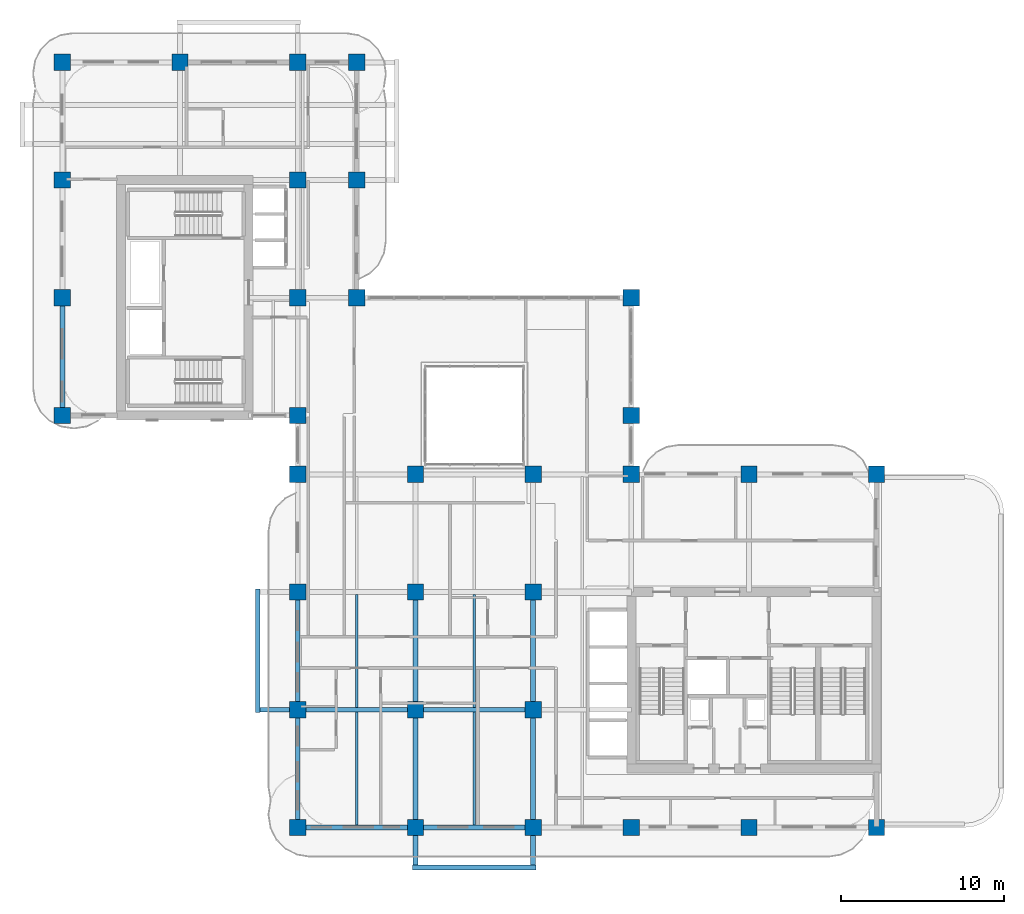
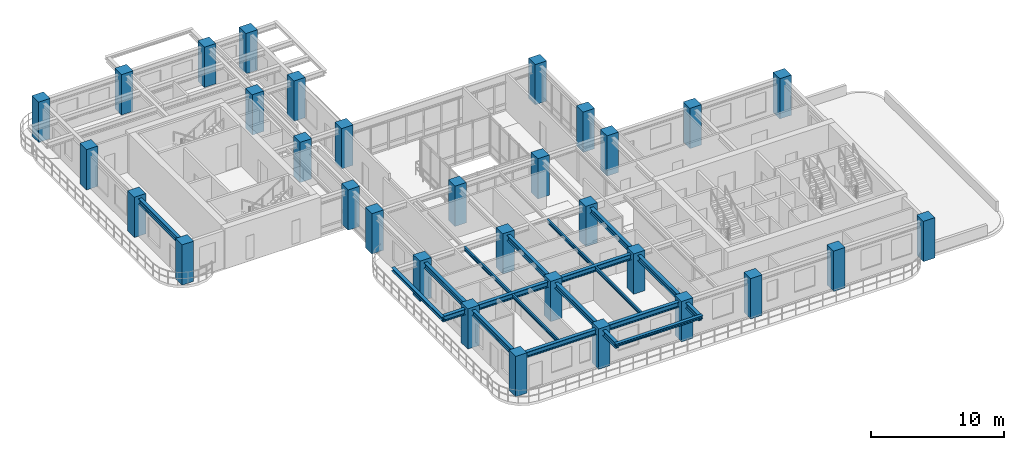
# One storey, part 1 of 20: 32 columns, 17 beams.
"""IFC4 building model written with IfcOpenShell, lengths in metres."""

from ifc_helpers import new_model, si_unit, derived_unit, direction, frame, origin, origin_2d, place, context, subcontext, project, spatial, rectangle, i_section, extrude, source, transform, mapped, material, material_profile, profile_set, type_object, type_shapes, element, save


model = new_model("IFC4")

# Units and contexts
model_context = context("Model", 3, precision=1e-05, world=origin(), true_north=direction((0.0, 1.0)))
body_context = subcontext(model_context, "Body", "Model", "MODEL_VIEW")
ifc_project = project(units=[si_unit("LENGTHUNIT", "METRE"), si_unit("AREAUNIT", "SQUARE_METRE"), si_unit("VOLUMEUNIT", "CUBIC_METRE"), si_unit("PLANEANGLEUNIT", "RADIAN"), si_unit("MASSUNIT", "GRAM", prefix="KILO"), si_unit("THERMODYNAMICTEMPERATUREUNIT", "KELVIN"), si_unit("POWERUNIT", "WATT"), derived_unit("THERMALTRANSMITTANCEUNIT", [(si_unit("POWERUNIT", "WATT"), 1), (si_unit("AREAUNIT", "SQUARE_METRE"), -1), (si_unit("THERMODYNAMICTEMPERATUREUNIT", "KELVIN"), -1)])], contexts=[model_context])

# Site, building, storey
site_placement = place(None, origin())
site = spatial("IfcSite", under=ifc_project, at=site_placement, CompositionType="ELEMENT")
building_placement = place(site_placement, origin())
building = spatial("IfcBuilding", under=site, at=building_placement, Name="Zahravan Archway Hotel and Residences", CompositionType="ELEMENT")
storey_placement = place(building_placement, frame((0.0, 0.0, 111.800048828125)))
storey = spatial("IfcBuildingStorey", under=building, at=storey_placement, Name="L27", CompositionType="ELEMENT", Elevation=111.800048828125)

# Columns
ifc_material_1 = material(Name="Concrete C60/75", Category="concrete")
ifc_material_profile_1 = material_profile(ifc_material_1, rectangle(XDim=1.0, YDim=1.0, at=origin_2d()), Name="RC-COL-1000x1000", Category="concrete")
ifc_profile_set_1 = profile_set([ifc_material_profile_1], Name="Concrete C60/75")
column_type = type_object("IfcColumnType", Name="COL-RC-1000", PredefinedType="COLUMN", material=ifc_profile_set_1)
shared_shape_1 = source(origin(), body_context, "Body", "SweptSolid", [
    extrude(rectangle(XDim=1.0, YDim=1.0, at=origin_2d()), origin(), (0.0, 0.0, 1.0), 3.699951171875),
])
type_shapes(column_type, [shared_shape_1])
for number, where, z_axis, x_axis, name in (
    (1, (0.0, 25.199951171875, 0.0), (0.0, 0.0, 1.0), (1.0, 0.0, 0.0), "L27 Column 1-E"),
    (2, (0.0, 32.39990234375, 0.0), (0.0, 0.0, 1.0), (1.0, 0.0, 0.0), "L27 Column 1-F"),
    (3, (0.0, 39.60009765625, 0.0), (0.0, 0.0, 1.0), (1.0, 0.0, 0.0), "L27 Column 1-G"),
    (4, (0.0, 46.800048828125, 0.0), (0.0, 0.0, 1.0), (1.0, 0.0, 0.0), "L27 Column 1-H"),
    (5, (7.199951171875, 46.800048828125, 0.0), (0.0, 0.0, 1.0), (1.0, 0.0, 0.0), "L27 Column 2-H"),
    (6, (14.39990234375, 0.0, 0.0), (0.0, 0.0, 1.0), (1.0, 0.0, 0.0), "L27 Column 3-A"),
    (7, (14.39990234375, 7.199951171875, 0.0), (0.0, 0.0, 1.0), (1.0, 0.0, 0.0), "L27 Column 3-B"),
    (8, (14.39990234375, 14.39990234375, 0.0), (0.0, 0.0, 1.0), (1.0, 0.0, 0.0), "L27 Column 3-C"),
    (9, (14.39990234375, 21.60009765625, 0.0), (0.0, 0.0, 1.0), (1.0, 0.0, 0.0), "L27 Column 3-D"),
    (10, (14.39990234375, 25.199951171875, 0.0), (0.0, 0.0, 1.0), (1.0, 0.0, 0.0), "L27 Column 3-E"),
    (11, (14.39990234375, 32.39990234375, 0.0), (0.0, 0.0, 1.0), (1.0, 0.0, 0.0), "L27 Column 3-F"),
    (12, (14.39990234375, 39.60009765625, 0.0), (0.0, 0.0, 1.0), (1.0, 0.0, 0.0), "L27 Column 3-G"),
    (13, (14.39990234375, 46.800048828125, 0.0), (0.0, 0.0, 1.0), (1.0, 0.0, 0.0), "L27 Column 3-H"),
    (14, (21.60009765625, 0.0, 0.0), (0.0, 0.0, 1.0), (1.0, 0.0, 0.0), "L27 Column 4-A"),
    (15, (21.60009765625, 7.199951171875, 0.0), (0.0, 0.0, 1.0), (1.0, 0.0, 0.0), "L27 Column 4-B"),
    (16, (21.60009765625, 14.39990234375, 0.0), (0.0, 0.0, 1.0), (1.0, 0.0, 0.0), "L27 Column 4-C"),
    (17, (21.60009765625, 21.60009765625, 0.0), (0.0, 0.0, 1.0), (1.0, 0.0, 0.0), "L27 Column 4-D"),
    (18, (28.800048828125, 0.0, 0.0), (0.0, 0.0, 1.0), (1.0, 0.0, 0.0), "L27 Column 5-A"),
    (19, (28.800048828125, 7.199951171875, 0.0), (0.0, 0.0, 1.0), (1.0, 0.0, 0.0), "L27 Column 5-B"),
    (20, (28.800048828125, 14.39990234375, 0.0), (0.0, 0.0, 1.0), (1.0, 0.0, 0.0), "L27 Column 5-C"),
    (21, (28.800048828125, 21.60009765625, 0.0), (0.0, 0.0, 1.0), (1.0, 0.0, 0.0), "L27 Column 5-D"),
    (22, (34.800048828125, 0.0, 0.0), (0.0, 0.0, 1.0), (1.0, 0.0, 0.0), "L27 Column 6-A"),
    (23, (34.800048828125, 21.60009765625, 0.0), (0.0, 0.0, 1.0), (1.0, 0.0, 0.0), "L27 Column 6-D"),
    (24, (34.800048828125, 25.199951171875, 0.0), (0.0, 0.0, 1.0), (1.0, 0.0, 0.0), "L27 Column 6-E"),
    (25, (34.800048828125, 32.39990234375, 0.0), (0.0, 0.0, 1.0), (1.0, 0.0, 0.0), "L27 Column 6-F"),
    (26, (42.0, 0.0, 0.0), (0.0, 0.0, 1.0), (1.0, 0.0, 0.0), "L27 Column 7-A"),
    (27, (42.0, 21.60009765625, 0.0), (0.0, 0.0, 1.0), (1.0, 0.0, 0.0), "L27 Column 7-D"),
    (28, (49.800048828125, 0.0, 0.0), (0.0, 0.0, 1.0), (1.0, 0.0, 0.0), "L27 Column 8-A"),
    (29, (49.800048828125, 21.60009765625, 0.0), (0.0, 0.0, 1.0), (1.0, 0.0, 0.0), "L27 Column 8-D"),
    (30, (18.0, 32.39990234375, 0.0), (0.0, 0.0, 1.0), (1.0, 0.0, 0.0), "L27 Column 3B-F"),
    (31, (18.0, 39.60009765625, 0.0), (0.0, 0.0, 1.0), (1.0, 0.0, 0.0), "L27 Column 3B-G"),
    (32, (18.0, 46.800048828125, 0.0), (0.0, 0.0, 1.0), (1.0, 0.0, 0.0), "L27 Column 3B-H"),
):
    element("IfcColumn", number, at=place(storey_placement, frame(where, z_axis=z_axis, x_axis=x_axis)), inside=storey, type_object=column_type, Name=name, PredefinedType="COLUMN", context=body_context, shape_type="MappedRepresentation", body=[
        mapped(shared_shape_1, transform((0.0, 0.0, 0.0), scale=1.0)),
    ])

# Beams
ifc_material_2 = material(Name="Structural Steel S355JR", Category="steel")
ifc_material_profile_2 = material_profile(ifc_material_2, i_section(OverallWidth=0.280029296875, OverallDepth=0.280029296875, WebThickness=0.010498046875, FlangeThickness=0.01806640625, FilletRadius=0.02392578125, at=origin_2d()), Name="HEB 280", Category="steel")
ifc_profile_set_2 = profile_set([ifc_material_profile_2], Name="Structural Steel S355JR")
beam_type_1 = type_object("IfcBeamType", Name="BM-SPN-HEB280", PredefinedType="SPANDREL", material=ifc_profile_set_2)
shared_shape_2 = source(origin(), body_context, "Body", "SweptSolid", [
    extrude(i_section(OverallWidth=0.280029296875, OverallDepth=0.280029296875, WebThickness=0.010498046875, FlangeThickness=0.01806640625, FilletRadius=0.02392578125, at=origin_2d()), origin(), (0.0, 0.0, 1.0), 7.56005859375),
])
type_shapes(beam_type_1, [shared_shape_2])
for number, where, z_axis, x_axis, name in (
    (33, (11.949951171875, 7.02001953125, 3.31005859375), (0.0, 1.0, 0.0), (-1.0, 0.0, 0.0), "L28 WA Balcony Edge Spandrel"),
    (34, (21.419921875, -2.449951171875, 3.31005859375), (1.0, 0.0, 0.0), (0.0, 1.0, 0.0), "L28 SA Balcony Edge Spandrel"),
):
    element("IfcBeam", number, at=place(storey_placement, frame(where, z_axis=z_axis, x_axis=x_axis)), inside=storey, type_object=beam_type_1, Name=name, PredefinedType="SPANDREL", context=body_context, shape_type="MappedRepresentation", body=[
        mapped(shared_shape_2, transform((0.0, 0.0, 0.0), scale=1.0)),
    ])
ifc_material_profile_3 = material_profile(ifc_material_2, i_section(OverallWidth=0.300048828125, OverallDepth=0.5, WebThickness=0.014404296875, FlangeThickness=0.028076171875, FilletRadius=0.027099609375, at=origin_2d()), Name="HEB 500", Category="steel")
ifc_profile_set_3 = profile_set([ifc_material_profile_3], Name="Structural Steel S355JR")
beam_type_2 = type_object("IfcBeamType", Name="BM-PRI-HEB500", PredefinedType="BEAM", material=ifc_profile_set_3)
shared_shape_3 = source(origin(), body_context, "Body", "SweptSolid", [
    extrude(i_section(OverallWidth=0.300048828125, OverallDepth=0.5, WebThickness=0.014404296875, FlangeThickness=0.028076171875, FilletRadius=0.027099609375, at=origin_2d()), origin(), (0.0, 0.0, 1.0), 7.2001953125),
])
type_shapes(beam_type_2, [shared_shape_3])
beam_1_placement = place(storey_placement, frame((14.39990234375, 0.0, 3.199951171875), z_axis=(1.0, 0.0, 0.0), x_axis=(0.0, 1.0, 0.0)))
element("IfcBeam", 35, at=beam_1_placement, inside=storey, type_object=beam_type_2, Name="L27 Primary Girder EW-01", PredefinedType="BEAM", context=body_context, shape_type="MappedRepresentation", body=[
    mapped(shared_shape_3, transform((0.0, 0.0, 0.0), scale=1.0)),
])
shared_shape_4 = source(origin(), body_context, "Body", "SweptSolid", [
    extrude(i_section(OverallWidth=0.300048828125, OverallDepth=0.5, WebThickness=0.014404296875, FlangeThickness=0.028076171875, FilletRadius=0.027099609375, at=origin_2d()), origin(), (0.0, 0.0, 1.0), 7.199951171875),
])
for number, where, z_axis, x_axis, name in (
    (36, (21.60009765625, 0.0, 3.199951171875), (1.0, 0.0, 0.0), (0.0, 1.0, 0.0), "L27 Primary Girder EW-02"),
    (37, (21.60009765625, 7.199951171875, 3.199951171875), (1.0, 0.0, 0.0), (0.0, 1.0, 0.0), "L27 Primary Girder EW-07"),
    (38, (0.0, 25.199951171875, 3.199951171875), (0.0, 1.0, 0.0), (-1.0, 0.0, 0.0), "L27 Primary Girder NS-24"),
    (39, (14.39990234375, 0.0, 3.199951171875), (0.0, 1.0, 0.0), (-1.0, 0.0, 0.0), "L27 Primary Girder NS-28"),
    (40, (14.39990234375, 7.199951171875, 3.199951171875), (0.0, 1.0, 0.0), (-1.0, 0.0, 0.0), "L27 Primary Girder NS-29"),
    (41, (21.60009765625, 7.199951171875, 3.199951171875), (0.0, 1.0, 0.0), (-1.0, 0.0, 0.0), "L27 Primary Girder NS-36"),
    (42, (28.800048828125, 7.199951171875, 3.199951171875), (0.0, 1.0, 0.0), (-1.0, 0.0, 0.0), "L27 Primary Girder NS-39"),
):
    element("IfcBeam", number, at=place(storey_placement, frame(where, z_axis=z_axis, x_axis=x_axis)), inside=storey, type_object=beam_type_2, Name=name, PredefinedType="BEAM", context=body_context, shape_type="MappedRepresentation", body=[
        mapped(shared_shape_4, transform((0.0, 0.0, 0.0), scale=1.0)),
    ])
shared_shape_5 = source(origin(), body_context, "Body", "SweptSolid", [
    extrude(i_section(OverallWidth=0.300048828125, OverallDepth=0.5, WebThickness=0.014404296875, FlangeThickness=0.028076171875, FilletRadius=0.027099609375, at=origin_2d()), origin(), (0.0, 0.0, 1.0), 9.650146484375),
])
beam_2_placement = place(storey_placement, frame((11.949951171875, 7.199951171875, 3.199951171875), z_axis=(1.0, 0.0, 0.0), x_axis=(0.0, 1.0, 0.0)))
element("IfcBeam", 43, at=beam_2_placement, inside=storey, type_object=beam_type_2, Name="L27 Primary Girder EW-06", PredefinedType="BEAM", context=body_context, shape_type="MappedRepresentation", body=[
    mapped(shared_shape_5, transform((0.0, 0.0, 0.0), scale=1.0)),
])
shared_shape_6 = source(origin(), body_context, "Body", "SweptSolid", [
    extrude(i_section(OverallWidth=0.300048828125, OverallDepth=0.5, WebThickness=0.014404296875, FlangeThickness=0.028076171875, FilletRadius=0.027099609375, at=origin_2d()), origin(), (0.0, 0.0, 1.0), 9.64990234375),
])
for number, where, z_axis, x_axis, name in (
    (44, (21.60009765625, -2.449951171875, 3.199951171875), (0.0, 1.0, 0.0), (-1.0, 0.0, 0.0), "L27 Primary Girder NS-35"),
    (45, (28.800048828125, -2.449951171875, 3.199951171875), (0.0, 1.0, 0.0), (-1.0, 0.0, 0.0), "L27 Primary Girder NS-38"),
):
    element("IfcBeam", number, at=place(storey_placement, frame(where, z_axis=z_axis, x_axis=x_axis)), inside=storey, type_object=beam_type_2, Name=name, PredefinedType="BEAM", context=body_context, shape_type="MappedRepresentation", body=[
        mapped(shared_shape_6, transform((0.0, 0.0, 0.0), scale=1.0)),
    ])
ifc_material_profile_4 = material_profile(ifc_material_2, i_section(OverallWidth=0.159912109375, OverallDepth=0.330078125, WebThickness=0.007568359375, FlangeThickness=0.011474609375, FilletRadius=0.01806640625, at=origin_2d()), Name="IPE 330", Category="steel")
ifc_profile_set_4 = profile_set([ifc_material_profile_4], Name="Structural Steel S355JR")
beam_type_3 = type_object("IfcBeamType", Name="BM-JST-IPE330", PredefinedType="JOIST", material=ifc_profile_set_4)
shared_shape_7 = source(origin(), body_context, "Body", "SweptSolid", [
    extrude(i_section(OverallWidth=0.159912109375, OverallDepth=0.330078125, WebThickness=0.007568359375, FlangeThickness=0.011474609375, FilletRadius=0.01806640625, at=origin_2d()), origin(), (0.0, 0.0, 1.0), 6.904052734375),
])
type_shapes(beam_type_3, [shared_shape_7])
for number, where, z_axis, x_axis, name in (
    (46, (18.0, 0.14794921875, 3.284912109375), (0.0, 1.0, 0.0), (-1.0, 0.0, 0.0), "L27 Composite Floor Joist 01"),
    (47, (25.199951171875, 0.14794921875, 3.284912109375), (0.0, 1.0, 0.0), (-1.0, 0.0, 0.0), "L27 Composite Floor Joist 02"),
    (48, (18.0, 7.347900390625, 3.284912109375), (0.0, 1.0, 0.0), (-1.0, 0.0, 0.0), "L27 Composite Floor Joist 04"),
    (49, (25.199951171875, 7.347900390625, 3.284912109375), (0.0, 1.0, 0.0), (-1.0, 0.0, 0.0), "L27 Composite Floor Joist 05"),
):
    element("IfcBeam", number, at=place(storey_placement, frame(where, z_axis=z_axis, x_axis=x_axis)), inside=storey, type_object=beam_type_3, Name=name, PredefinedType="JOIST", context=body_context, shape_type="MappedRepresentation", body=[
        mapped(shared_shape_7, transform((0.0, 0.0, 0.0), scale=1.0)),
    ])

save(model, "model.ifc")
